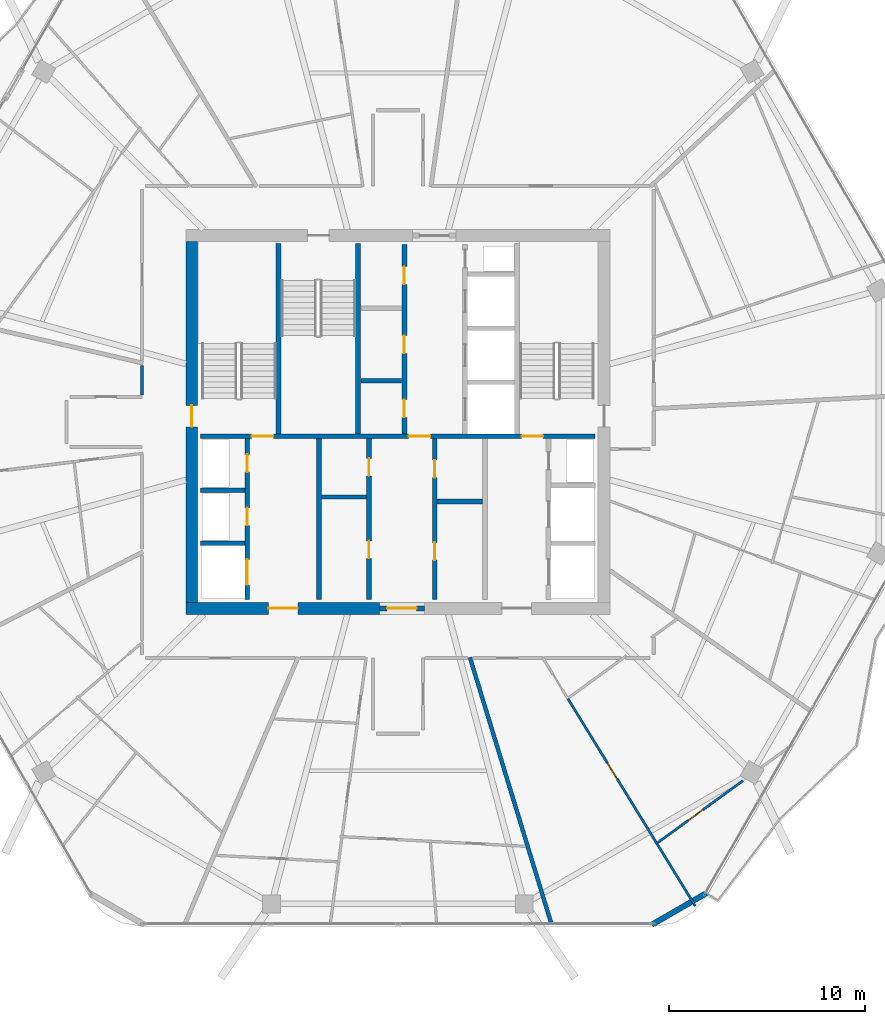
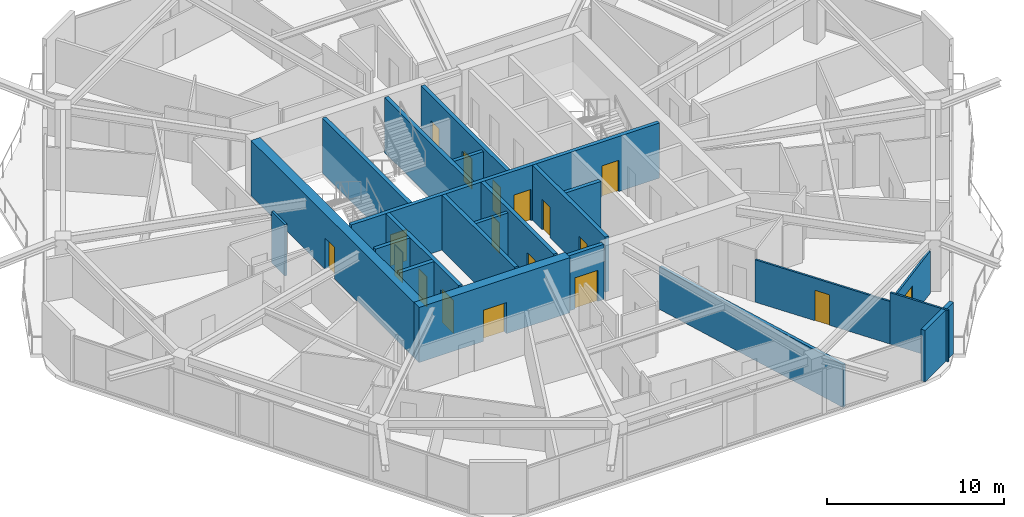
# One storey, part 19 of 25: 22 walls, 18 doors, 18 openings.
"""IFC4 building model written with IfcOpenShell, lengths in metres."""

from ifc_helpers import new_model, si_unit, direction, frame, frame_2d, origin, place, context, subcontext, project, spatial, rectangle, extrude, material, layer, layer_set, type_object, element, fill, save


model = new_model("IFC4")

# Units and contexts
model_context = context("Model", 3, precision=1e-05, world=origin(), true_north=direction((0.0, 1.0)))
body_context = subcontext(model_context, "Body", "Model", "MODEL_VIEW")
ifc_project = project(units=[si_unit("LENGTHUNIT", "METRE"), si_unit("AREAUNIT", "SQUARE_METRE"), si_unit("VOLUMEUNIT", "CUBIC_METRE"), si_unit("PLANEANGLEUNIT", "RADIAN"), si_unit("MASSUNIT", "GRAM", prefix="KILO")], contexts=[model_context])

# Site, building, storey
site_placement = place(None, origin())
site = spatial("IfcSite", under=ifc_project, at=site_placement, CompositionType="ELEMENT")
building_placement = place(site_placement, origin())
building = spatial("IfcBuilding", under=site, at=building_placement, Name="Zuhravey Tower", CompositionType="ELEMENT")
storey_placement = place(building_placement, frame((0.0, 0.0, 257.800048828125)))
storey = spatial("IfcBuildingStorey", under=building, at=storey_placement, Name="L65", CompositionType="ELEMENT", Elevation=257.800048828125)

# Wall, opening, door
ifc_material_1 = material(Name="Concrete C50/60", Category="concrete")
ifc_layer_1 = layer(ifc_material_1, 0.60009765625)
ifc_layer_set_1 = layer_set([ifc_layer_1], Name="Concrete C50/60")
wall_type_1 = type_object("IfcWallType", Name="Core Shear Wall 600", PredefinedType="SHEAR", material=ifc_layer_set_1)
wall_1_placement = place(storey_placement, frame((25.199951171875, 22.5, 0.0), z_axis=(0.0, 0.0, 1.0), x_axis=(1.0, 0.0, 0.0)))
wall_1 = element("IfcWall", 1, at=wall_1_placement, inside=storey, type_object=wall_type_1, Name="L65 South-West Core Shear Wall CW60", PredefinedType="SHEAR", context=body_context, shape_type="SweptSolid", body=[
    extrude(rectangle(XDim=9.85009765625, YDim=0.60009765625, at=frame_2d((4.925048828125, 0.0))), origin(), (0.0, 0.0, 1.0), 3.800048828125),
])
opening_1_placement = place(wall_1_placement, frame((4.199951171875, 0.0, 0.0)))
opening_1 = element("IfcOpeningElement", 2, at=opening_1_placement, cuts=wall_1, Name="Opening FFD1", PredefinedType="OPENING", context=body_context, shape_type="SweptSolid", body=[
    extrude(rectangle(XDim=1.5, YDim=2.14990234375, at=frame_2d((0.75, 1.074951171875))), frame((0.0, 0.31201171875, 0.0), z_axis=(0.0, -1.0, 0.0), x_axis=(1.0, 0.0, 0.0)), (0.0, 0.0, 1.0), 0.6240234375),
])
ifc_material_2 = material(Name="Galvanised fire-rated steel leaf", Category="steel")
door_type_1 = type_object("IfcDoorType", Name="Firefighting Lobby Double Door 1500x2150", OperationType="DOUBLE_DOOR_SINGLE_SWING", PredefinedType="DOOR", material=ifc_material_2)
door_1_placement = place(opening_1_placement, origin())
door_1 = element("IfcDoor", 3, at=door_1_placement, inside=storey, type_object=door_type_1, Name="L65 Firefighting Lobby West Door", OperationType="DOUBLE_DOOR_SINGLE_SWING", OverallHeight=2.14990234375, OverallWidth=1.5, PredefinedType="DOOR", context=body_context, shape_type="SweptSolid", body=[
    extrude(rectangle(XDim=1.5, YDim=2.14990234375, at=frame_2d((0.75, 1.074951171875))), frame((0.0, 0.02490234375, 0.0), z_axis=(0.0, -1.0, 0.0), x_axis=(1.0, 0.0, 0.0)), (0.0, 0.0, 1.0), 0.050048828125),
])
fill(opening_1, door_1)

wall_2_placement = place(storey_placement, frame((25.5, 22.800048828125, 0.0), z_axis=(0.0, 0.0, 1.0), x_axis=(0.0, 1.0, 0.0)))
wall_2 = element("IfcWall", 4, at=wall_2_placement, inside=storey, type_object=wall_type_1, Name="L65 West Core Shear Wall CW60", PredefinedType="SHEAR", context=body_context, shape_type="SweptSolid", body=[
    extrude(rectangle(XDim=18.39990234375, YDim=0.60009765625, at=frame_2d((9.199951171875, 0.0))), origin(), (0.0, 0.0, 1.0), 3.800048828125),
])
opening_2_placement = place(wall_2_placement, frame((8.949951171875, 0.0, 0.0)))
opening_2 = element("IfcOpeningElement", 5, at=opening_2_placement, cuts=wall_2, Name="Opening STD1", PredefinedType="OPENING", context=body_context, shape_type="SweptSolid", body=[
    extrude(rectangle(XDim=1.10009765625, YDim=2.14990234375, at=frame_2d((0.550048828125, 1.074951171875))), frame((0.0, 0.31201171875, 0.0), z_axis=(0.0, -1.0, 0.0), x_axis=(1.0, 0.0, 0.0)), (0.0, 0.0, 1.0), 0.6240234375),
])
door_type_2 = type_object("IfcDoorType", Name="Protected Stair Fire Door 1100x2150", OperationType="NOTDEFINED", PredefinedType="USERDEFINED", material=ifc_material_2)
door_2_placement = place(opening_2_placement, frame((1.10009765625, 0.0, 0.0), z_axis=(0.0, 0.0, 1.0), x_axis=(-1.0, 0.0, 0.0)))
door_2 = element("IfcDoor", 6, at=door_2_placement, inside=storey, type_object=door_type_2, Name="L65 Stair ST1 Door", ObjectType="EXITDOOR", OperationType="SINGLE_SWING_RIGHT", OverallHeight=2.14990234375, OverallWidth=1.10009765625, PredefinedType="USERDEFINED", context=body_context, shape_type="SweptSolid", body=[
    extrude(rectangle(XDim=1.10009765625, YDim=2.14990234375, at=frame_2d((0.550048828125, 1.074951171875))), frame((0.0, 0.02490234375, 0.0), z_axis=(0.0, -1.0, 0.0), x_axis=(1.0, 0.0, 0.0)), (0.0, 0.0, 1.0), 0.050048828125),
])
fill(opening_2, door_2)

# Walls
ifc_material_3 = material(Name="Gypsum fire-rated stud partition")
ifc_layer_2 = layer(ifc_material_3, 0.159912109375)
ifc_layer_set_2 = layer_set([ifc_layer_2], Name="Gypsum fire-rated stud partition")
wall_type_2 = type_object("IfcWallType", Name="Corridor Fire Partition 160", PredefinedType="PARTITIONING", material=ifc_layer_set_2)
wall_3_placement = place(storey_placement, frame((22.969970703125, 34.8681640625, 0.0), z_axis=(0.0, 0.0, 1.0), x_axis=(0.0, -1.0, 0.0)))
element("IfcWall", 7, at=wall_3_placement, inside=storey, type_object=wall_type_2, Name="L65 IW16 Partition 107", PredefinedType="PARTITIONING", context=body_context, shape_type="SweptSolid", body=[
    extrude(rectangle(XDim=1.500244140625, YDim=0.159912109375, at=frame_2d((0.75, 0.0))), origin(), (0.0, 0.0, 1.0), 3.550048828125),
])
ifc_material_4 = material(Name="Precast concrete C40/50", Category="concrete")
ifc_layer_3 = layer(ifc_material_4, 0.280029296875)
ifc_layer_set_3 = layer_set([ifc_layer_3], Name="Precast concrete C40/50")
wall_type_3 = type_object("IfcWallType", Name="Crown Architectural Wall 280", PredefinedType="SOLIDWALL", material=ifc_layer_set_3)
wall_4_placement = place(storey_placement, frame((51.714599609375, 7.996337890625, 0.0), z_axis=(0.0, 0.0, 1.0), x_axis=(-0.866028773314, -0.499994163758, 0.0)))
element("IfcWall", 8, at=wall_4_placement, inside=storey, type_object=wall_type_3, Name="L65 Rounded Corner Closure Wall EW28-02", PredefinedType="SOLIDWALL", context=body_context, shape_type="SweptSolid", body=[
    extrude(rectangle(XDim=3.21484375, YDim=0.280029296875, at=frame_2d((1.607421875, 0.0))), origin(), (0.0, 0.0, 1.0), 3.550048828125),
])

# Wall, opening, door
ifc_layer_4 = layer(ifc_material_1, 0.25)
ifc_layer_set_4 = layer_set([ifc_layer_4], Name="Concrete C50/60")
wall_type_4 = type_object("IfcWallType", Name="Firefighting Shaft & Stair Wall 250", PredefinedType="SOLIDWALL", material=ifc_layer_set_4)
wall_5_placement = place(storey_placement, frame((35.06005859375, 22.5, 0.0), z_axis=(0.0, 0.0, 1.0), x_axis=(1.0, 0.0, 0.0)))
wall_5 = element("IfcWall", 9, at=wall_5_placement, inside=storey, type_object=wall_type_4, Name="L65 FW25 Shaft Wall 001", PredefinedType="SOLIDWALL", context=body_context, shape_type="SweptSolid", body=[
    extrude(rectangle(XDim=2.280029296875, YDim=0.25, at=frame_2d((1.14013671875, 0.0))), origin(), (0.0, 0.0, 1.0), 3.800048828125),
])
opening_3_placement = place(wall_5_placement, frame((0.389892578125, 0.0, 0.0)))
opening_3 = element("IfcOpeningElement", 10, at=opening_3_placement, cuts=wall_5, Name="Opening FFD1", PredefinedType="OPENING", context=body_context, shape_type="SweptSolid", body=[
    extrude(rectangle(XDim=1.5, YDim=2.14990234375, at=frame_2d((0.75, 1.074951171875))), frame((0.0, 0.136962890625, 0.0), z_axis=(0.0, -1.0, 0.0), x_axis=(1.0, 0.0, 0.0)), (0.0, 0.0, 1.0), 0.27392578125),
])
door_3_placement = place(opening_3_placement, frame((1.5, 0.0, 0.0), z_axis=(0.0, 0.0, 1.0), x_axis=(-1.0, 0.0, 0.0)))
door_3 = element("IfcDoor", 11, at=door_3_placement, inside=storey, type_object=door_type_1, Name="L65 South Lift Lobby Exit Door", OperationType="DOUBLE_DOOR_SINGLE_SWING", OverallHeight=2.14990234375, OverallWidth=1.5, PredefinedType="DOOR", context=body_context, shape_type="SweptSolid", body=[
    extrude(rectangle(XDim=1.5, YDim=2.14990234375, at=frame_2d((0.75, 1.074951171875))), frame((0.0, 0.02490234375, 0.0), z_axis=(0.0, -1.0, 0.0), x_axis=(1.0, 0.0, 0.0)), (0.0, 0.0, 1.0), 0.050048828125),
])
fill(opening_3, door_3)

# Wall, openings, doors
wall_6_placement = place(storey_placement, frame((25.949951171875, 31.27490234375, 0.0), z_axis=(0.0, 0.0, 1.0), x_axis=(1.0, 0.0, 0.0)))
wall_6 = element("IfcWall", 12, at=wall_6_placement, inside=storey, type_object=wall_type_4, Name="L65 FW25 Shaft Wall 003", PredefinedType="SOLIDWALL", context=body_context, shape_type="SweptSolid", body=[
    extrude(rectangle(XDim=20.10009765625, YDim=0.25, at=frame_2d((10.050048828125, 0.0))), origin(), (0.0, 0.0, 1.0), 3.800048828125),
])
opening_4_placement = place(wall_6_placement, frame((2.60009765625, 0.0, 0.0)))
opening_4 = element("IfcOpeningElement", 13, at=opening_4_placement, cuts=wall_6, Name="Opening STD1", PredefinedType="OPENING", context=body_context, shape_type="SweptSolid", body=[
    extrude(rectangle(XDim=1.10009765625, YDim=2.14990234375, at=frame_2d((0.550048828125, 1.074951171875))), frame((0.0, 0.136962890625, 0.0), z_axis=(0.0, -1.0, 0.0), x_axis=(1.0, 0.0, 0.0)), (0.0, 0.0, 1.0), 0.27392578125),
])
opening_5_placement = place(wall_6_placement, frame((10.60009765625, 0.0, 0.0)))
opening_5 = element("IfcOpeningElement", 14, at=opening_5_placement, cuts=wall_6, Name="Opening STD1", PredefinedType="OPENING", context=body_context, shape_type="SweptSolid", body=[
    extrude(rectangle(XDim=1.10009765625, YDim=2.14990234375, at=frame_2d((0.550048828125, 1.074951171875))), frame((0.0, 0.136962890625, 0.0), z_axis=(0.0, -1.0, 0.0), x_axis=(1.0, 0.0, 0.0)), (0.0, 0.0, 1.0), 0.27392578125),
])
opening_6_placement = place(wall_6_placement, frame((16.35009765625, 0.0, 0.0)))
opening_6 = element("IfcOpeningElement", 15, at=opening_6_placement, cuts=wall_6, Name="Opening STD1", PredefinedType="OPENING", context=body_context, shape_type="SweptSolid", body=[
    extrude(rectangle(XDim=1.10009765625, YDim=2.14990234375, at=frame_2d((0.550048828125, 1.074951171875))), frame((0.0, 0.136962890625, 0.0), z_axis=(0.0, -1.0, 0.0), x_axis=(1.0, 0.0, 0.0)), (0.0, 0.0, 1.0), 0.27392578125),
])
door_4_placement = place(opening_4_placement, origin())
door_4 = element("IfcDoor", 16, at=door_4_placement, inside=storey, type_object=door_type_2, Name="L65 FFL-W to ST1 Door", ObjectType="EXITDOOR", OperationType="SINGLE_SWING_LEFT", OverallHeight=2.14990234375, OverallWidth=1.10009765625, PredefinedType="USERDEFINED", context=body_context, shape_type="SweptSolid", body=[
    extrude(rectangle(XDim=1.10009765625, YDim=2.14990234375, at=frame_2d((0.550048828125, 1.074951171875))), frame((0.0, 0.02490234375, 0.0), z_axis=(0.0, -1.0, 0.0), x_axis=(1.0, 0.0, 0.0)), (0.0, 0.0, 1.0), 0.050048828125),
])
fill(opening_4, door_4)
door_5_placement = place(opening_5_placement, origin())
door_5 = element("IfcDoor", 17, at=door_5_placement, inside=storey, type_object=door_type_2, Name="L65 Core Lobby Link Door", ObjectType="EXITDOOR", OperationType="SINGLE_SWING_RIGHT", OverallHeight=2.14990234375, OverallWidth=1.10009765625, PredefinedType="USERDEFINED", context=body_context, shape_type="SweptSolid", body=[
    extrude(rectangle(XDim=1.10009765625, YDim=2.14990234375, at=frame_2d((0.550048828125, 1.074951171875))), frame((0.0, 0.02490234375, 0.0), z_axis=(0.0, -1.0, 0.0), x_axis=(1.0, 0.0, 0.0)), (0.0, 0.0, 1.0), 0.050048828125),
])
fill(opening_5, door_5)
door_6_placement = place(opening_6_placement, origin())
door_6 = element("IfcDoor", 18, at=door_6_placement, inside=storey, type_object=door_type_2, Name="L65 FFL-E to ST2 Door", ObjectType="EXITDOOR", OperationType="SINGLE_SWING_LEFT", OverallHeight=2.14990234375, OverallWidth=1.10009765625, PredefinedType="USERDEFINED", context=body_context, shape_type="SweptSolid", body=[
    extrude(rectangle(XDim=1.10009765625, YDim=2.14990234375, at=frame_2d((0.550048828125, 1.074951171875))), frame((0.0, 0.02490234375, 0.0), z_axis=(0.0, -1.0, 0.0), x_axis=(1.0, 0.0, 0.0)), (0.0, 0.0, 1.0), 0.050048828125),
])
fill(opening_6, door_6)

# Walls
for number, where, z_axis, x_axis, name in (
    (19, (29.925048828125, 31.39990234375, 0.0), (0.0, 0.0, 1.0), (0.0, 1.0, 0.0), "L65 FW25 Shaft Wall 004"),
    (20, (33.97509765625, 31.39990234375, 0.0), (0.0, 0.0, 1.0), (0.0, 1.0, 0.0), "L65 FW25 Shaft Wall 005"),
):
    element("IfcWall", number, at=place(storey_placement, frame(where, z_axis=z_axis, x_axis=x_axis)), inside=storey, type_object=wall_type_4, Name=name, PredefinedType="SOLIDWALL", context=body_context, shape_type="SweptSolid", body=[
        extrude(rectangle(XDim=9.7001953125, YDim=0.25, at=frame_2d((4.85009765625, 0.0))), origin(), (0.0, 0.0, 1.0), 3.800048828125),
    ])

# Wall, openings, doors
wall_7_placement = place(storey_placement, frame((36.324951171875, 31.39990234375, 0.0), z_axis=(0.0, 0.0, 1.0), x_axis=(0.0, 1.0, 0.0)))
wall_7 = element("IfcWall", 21, at=wall_7_placement, inside=storey, type_object=wall_type_4, Name="L65 FW25 Shaft Wall 007", PredefinedType="SOLIDWALL", context=body_context, shape_type="SweptSolid", body=[
    extrude(rectangle(XDim=9.650146484375, YDim=0.25, at=frame_2d((4.8251953125, 0.0))), origin(), (0.0, 0.0, 1.0), 3.800048828125),
])
opening_7_placement = place(wall_7_placement, frame((0.840087890625, 0.0, 0.0)))
opening_7 = element("IfcOpeningElement", 22, at=opening_7_placement, cuts=wall_7, Name="Opening RSD1", PredefinedType="OPENING", context=body_context, shape_type="SweptSolid", body=[
    extrude(rectangle(XDim=0.89990234375, YDim=2.10009765625, at=frame_2d((0.449951171875, 1.050048828125))), frame((0.0, 0.136962890625, 0.0), z_axis=(0.0, -1.0, 0.0), x_axis=(1.0, 0.0, 0.0)), (0.0, 0.0, 1.0), 0.27392578125),
])
opening_8_placement = place(wall_7_placement, frame((4.10009765625, 0.0, 0.0)))
opening_8 = element("IfcOpeningElement", 23, at=opening_8_placement, cuts=wall_7, Name="Opening RSD1", PredefinedType="OPENING", context=body_context, shape_type="SweptSolid", body=[
    extrude(rectangle(XDim=0.89990234375, YDim=2.10009765625, at=frame_2d((0.449951171875, 1.050048828125))), frame((0.0, 0.136962890625, 0.0), z_axis=(0.0, -1.0, 0.0), x_axis=(1.0, 0.0, 0.0)), (0.0, 0.0, 1.0), 0.27392578125),
])
opening_9_placement = place(wall_7_placement, frame((7.610107421875, 0.0, 0.0)))
opening_9 = element("IfcOpeningElement", 24, at=opening_9_placement, cuts=wall_7, Name="Opening RSD1", PredefinedType="OPENING", context=body_context, shape_type="SweptSolid", body=[
    extrude(rectangle(XDim=0.89990234375, YDim=2.10009765625, at=frame_2d((0.449951171875, 1.050048828125))), frame((0.0, 0.136962890625, 0.0), z_axis=(0.0, -1.0, 0.0), x_axis=(1.0, 0.0, 0.0)), (0.0, 0.0, 1.0), 0.27392578125),
])
ifc_material_5 = material(Name="Galvanised fire-rated steel access leaf", Category="steel")
door_type_3 = type_object("IfcDoorType", Name="Riser & Shaft Access Fire Door 900x2100", OperationType="NOTDEFINED", PredefinedType="DOOR", material=ifc_material_5)
door_7_placement = place(opening_7_placement, origin())
door_7 = element("IfcDoor", 25, at=door_7_placement, inside=storey, type_object=door_type_3, Name="L65 Core Staff WC Door", OperationType="SINGLE_SWING_RIGHT", OverallHeight=2.10009765625, OverallWidth=0.89990234375, PredefinedType="DOOR", context=body_context, shape_type="SweptSolid", body=[
    extrude(rectangle(XDim=0.89990234375, YDim=2.10009765625, at=frame_2d((0.449951171875, 1.050048828125))), frame((0.0, 0.02490234375, 0.0), z_axis=(0.0, -1.0, 0.0), x_axis=(1.0, 0.0, 0.0)), (0.0, 0.0, 1.0), 0.050048828125),
])
fill(opening_7, door_7)
door_8_placement = place(opening_8_placement, origin())
door_8 = element("IfcDoor", 26, at=door_8_placement, inside=storey, type_object=door_type_3, Name="L65 IT and Comms Room Door", OperationType="SINGLE_SWING_LEFT", OverallHeight=2.10009765625, OverallWidth=0.89990234375, PredefinedType="DOOR", context=body_context, shape_type="SweptSolid", body=[
    extrude(rectangle(XDim=0.89990234375, YDim=2.10009765625, at=frame_2d((0.449951171875, 1.050048828125))), frame((0.0, 0.02490234375, 0.0), z_axis=(0.0, -1.0, 0.0), x_axis=(1.0, 0.0, 0.0)), (0.0, 0.0, 1.0), 0.050048828125),
])
fill(opening_8, door_8)
door_9_placement = place(opening_9_placement, origin())
door_9 = element("IfcDoor", 27, at=door_9_placement, inside=storey, type_object=door_type_3, Name="L65 Janitor Linen Store Door", OperationType="SINGLE_SWING_RIGHT", OverallHeight=2.10009765625, OverallWidth=0.89990234375, PredefinedType="DOOR", context=body_context, shape_type="SweptSolid", body=[
    extrude(rectangle(XDim=0.89990234375, YDim=2.10009765625, at=frame_2d((0.449951171875, 1.050048828125))), frame((0.0, 0.02490234375, 0.0), z_axis=(0.0, -1.0, 0.0), x_axis=(1.0, 0.0, 0.0)), (0.0, 0.0, 1.0), 0.050048828125),
])
fill(opening_9, door_9)

# Walls
for number, where, z_axis, x_axis, name in (
    (28, (25.949951171875, 25.824951171875, 0.0), (0.0, 0.0, 1.0), (1.0, 0.0, 0.0), "L65 FW25 Shaft Wall 009"),
    (29, (25.949951171875, 28.52490234375, 0.0), (0.0, 0.0, 1.0), (1.0, 0.0, 0.0), "L65 FW25 Shaft Wall 010"),
):
    element("IfcWall", number, at=place(storey_placement, frame(where, z_axis=z_axis, x_axis=x_axis)), inside=storey, type_object=wall_type_4, Name=name, PredefinedType="SOLIDWALL", context=body_context, shape_type="SweptSolid", body=[
        extrude(rectangle(XDim=2.25, YDim=0.25, at=frame_2d((1.125, 0.0))), origin(), (0.0, 0.0, 1.0), 3.800048828125),
    ])

# Wall, openings, doors
wall_8_placement = place(storey_placement, frame((28.324951171875, 22.949951171875, 0.0), z_axis=(0.0, 0.0, 1.0), x_axis=(0.0, 1.0, 0.0)))
wall_8 = element("IfcWall", 30, at=wall_8_placement, inside=storey, type_object=wall_type_4, Name="L65 FW25 Shaft Wall 011", PredefinedType="SOLIDWALL", context=body_context, shape_type="SweptSolid", body=[
    extrude(rectangle(XDim=8.199951171875, YDim=0.25, at=frame_2d((4.10009765625, 0.0))), origin(), (0.0, 0.0, 1.0), 3.800048828125),
])
opening_10_placement = place(wall_8_placement, frame((0.75, 0.0, 0.0)))
opening_10 = element("IfcOpeningElement", 31, at=opening_10_placement, cuts=wall_8, Name="Opening LD2", PredefinedType="OPENING", context=body_context, shape_type="SweptSolid", body=[
    extrude(rectangle(XDim=1.300048828125, YDim=2.300048828125, at=frame_2d((0.64990234375, 1.14990234375))), frame((0.0, 0.136962890625, 0.0), z_axis=(0.0, -1.0, 0.0), x_axis=(1.0, 0.0, 0.0)), (0.0, 0.0, 1.0), 0.27392578125),
])
opening_11_placement = place(wall_8_placement, frame((3.780029296875, 0.0, 0.0)))
opening_11 = element("IfcOpeningElement", 32, at=opening_11_placement, cuts=wall_8, Name="Opening RSD1", PredefinedType="OPENING", context=body_context, shape_type="SweptSolid", body=[
    extrude(rectangle(XDim=0.89990234375, YDim=2.10009765625, at=frame_2d((0.449951171875, 1.050048828125))), frame((0.0, 0.136962890625, 0.0), z_axis=(0.0, -1.0, 0.0), x_axis=(1.0, 0.0, 0.0)), (0.0, 0.0, 1.0), 0.27392578125),
])
opening_12_placement = place(wall_8_placement, frame((6.5, 0.0, 0.0)))
opening_12 = element("IfcOpeningElement", 33, at=opening_12_placement, cuts=wall_8, Name="Opening RSD1", PredefinedType="OPENING", context=body_context, shape_type="SweptSolid", body=[
    extrude(rectangle(XDim=0.89990234375, YDim=2.10009765625, at=frame_2d((0.449951171875, 1.050048828125))), frame((0.0, 0.136962890625, 0.0), z_axis=(0.0, -1.0, 0.0), x_axis=(1.0, 0.0, 0.0)), (0.0, 0.0, 1.0), 0.27392578125),
])
ifc_material_6 = material(Name="Brushed stainless steel", Category="steel")
door_type_4 = type_object("IfcDoorType", Name="Freight & Stretcher Lift Sliding Door 1300x2300", OperationType="DOUBLE_DOOR_SLIDING", PredefinedType="DOOR", material=ifc_material_6)
door_10_placement = place(opening_10_placement, frame((1.300048828125, 0.0, 0.0), z_axis=(0.0, 0.0, 1.0), x_axis=(-1.0, 0.0, 0.0)))
door_10 = element("IfcDoor", 34, at=door_10_placement, inside=storey, type_object=door_type_4, Name="L65 Lift FF1 Landing Door", OperationType="DOUBLE_DOOR_SLIDING", OverallHeight=2.300048828125, OverallWidth=1.300048828125, PredefinedType="DOOR", context=body_context, shape_type="SweptSolid", body=[
    extrude(rectangle(XDim=1.300048828125, YDim=2.300048828125, at=frame_2d((0.64990234375, 1.14990234375))), frame((0.0, 0.02490234375, 0.0), z_axis=(0.0, -1.0, 0.0), x_axis=(1.0, 0.0, 0.0)), (0.0, 0.0, 1.0), 0.050048828125),
])
fill(opening_10, door_10)
door_11_placement = place(opening_11_placement, frame((0.89990234375, 0.0, 0.0), z_axis=(0.0, 0.0, 1.0), x_axis=(-1.0, 0.0, 0.0)))
door_11 = element("IfcDoor", 35, at=door_11_placement, inside=storey, type_object=door_type_3, Name="L65 Electrical Riser Door", OperationType="SINGLE_SWING_RIGHT", OverallHeight=2.10009765625, OverallWidth=0.89990234375, PredefinedType="DOOR", context=body_context, shape_type="SweptSolid", body=[
    extrude(rectangle(XDim=0.89990234375, YDim=2.10009765625, at=frame_2d((0.449951171875, 1.050048828125))), frame((0.0, 0.02490234375, 0.0), z_axis=(0.0, -1.0, 0.0), x_axis=(1.0, 0.0, 0.0)), (0.0, 0.0, 1.0), 0.050048828125),
])
fill(opening_11, door_11)
door_12_placement = place(opening_12_placement, frame((0.89990234375, 0.0, 0.0), z_axis=(0.0, 0.0, 1.0), x_axis=(-1.0, 0.0, 0.0)))
door_12 = element("IfcDoor", 36, at=door_12_placement, inside=storey, type_object=door_type_3, Name="L65 Smoke Shaft Access Door", OperationType="SINGLE_SWING_LEFT", OverallHeight=2.10009765625, OverallWidth=0.89990234375, PredefinedType="DOOR", context=body_context, shape_type="SweptSolid", body=[
    extrude(rectangle(XDim=0.89990234375, YDim=2.10009765625, at=frame_2d((0.449951171875, 1.050048828125))), frame((0.0, 0.02490234375, 0.0), z_axis=(0.0, -1.0, 0.0), x_axis=(1.0, 0.0, 0.0)), (0.0, 0.0, 1.0), 0.050048828125),
])
fill(opening_12, door_12)

# Wall
wall_9_placement = place(storey_placement, frame((31.97509765625, 22.949951171875, 0.0), z_axis=(0.0, 0.0, 1.0), x_axis=(0.0, 1.0, 0.0)))
element("IfcWall", 37, at=wall_9_placement, inside=storey, type_object=wall_type_4, Name="L65 FW25 Shaft Wall 012", PredefinedType="SOLIDWALL", context=body_context, shape_type="SweptSolid", body=[
    extrude(rectangle(XDim=8.199951171875, YDim=0.25, at=frame_2d((4.10009765625, 0.0))), origin(), (0.0, 0.0, 1.0), 3.800048828125),
])

# Wall, openings, doors
wall_10_placement = place(storey_placement, frame((34.52490234375, 22.949951171875, 0.0), z_axis=(0.0, 0.0, 1.0), x_axis=(0.0, 1.0, 0.0)))
wall_10 = element("IfcWall", 38, at=wall_10_placement, inside=storey, type_object=wall_type_4, Name="L65 FW25 Shaft Wall 013", PredefinedType="SOLIDWALL", context=body_context, shape_type="SweptSolid", body=[
    extrude(rectangle(XDim=8.199951171875, YDim=0.25, at=frame_2d((4.10009765625, 0.0))), origin(), (0.0, 0.0, 1.0), 3.800048828125),
])
opening_13_placement = place(wall_10_placement, frame((2.10009765625, 0.0, 0.0)))
opening_13 = element("IfcOpeningElement", 39, at=opening_13_placement, cuts=wall_10, Name="Opening RSD1", PredefinedType="OPENING", context=body_context, shape_type="SweptSolid", body=[
    extrude(rectangle(XDim=0.89990234375, YDim=2.10009765625, at=frame_2d((0.449951171875, 1.050048828125))), frame((0.0, 0.136962890625, 0.0), z_axis=(0.0, -1.0, 0.0), x_axis=(1.0, 0.0, 0.0)), (0.0, 0.0, 1.0), 0.27392578125),
])
opening_14_placement = place(wall_10_placement, frame((6.300048828125, 0.0, 0.0)))
opening_14 = element("IfcOpeningElement", 40, at=opening_14_placement, cuts=wall_10, Name="Opening RSD1", PredefinedType="OPENING", context=body_context, shape_type="SweptSolid", body=[
    extrude(rectangle(XDim=0.89990234375, YDim=2.10009765625, at=frame_2d((0.449951171875, 1.050048828125))), frame((0.0, 0.136962890625, 0.0), z_axis=(0.0, -1.0, 0.0), x_axis=(1.0, 0.0, 0.0)), (0.0, 0.0, 1.0), 0.27392578125),
])
door_13_placement = place(opening_13_placement, origin())
door_13 = element("IfcDoor", 41, at=door_13_placement, inside=storey, type_object=door_type_3, Name="L65 Housekeeping Store Door", OperationType="SINGLE_SWING_RIGHT", OverallHeight=2.10009765625, OverallWidth=0.89990234375, PredefinedType="DOOR", context=body_context, shape_type="SweptSolid", body=[
    extrude(rectangle(XDim=0.89990234375, YDim=2.10009765625, at=frame_2d((0.449951171875, 1.050048828125))), frame((0.0, 0.02490234375, 0.0), z_axis=(0.0, -1.0, 0.0), x_axis=(1.0, 0.0, 0.0)), (0.0, 0.0, 1.0), 0.050048828125),
])
fill(opening_13, door_13)
door_14_placement = place(opening_14_placement, origin())
door_14 = element("IfcDoor", 42, at=door_14_placement, inside=storey, type_object=door_type_3, Name="L65 Comms Closet Door", OperationType="SINGLE_SWING_LEFT", OverallHeight=2.10009765625, OverallWidth=0.89990234375, PredefinedType="DOOR", context=body_context, shape_type="SweptSolid", body=[
    extrude(rectangle(XDim=0.89990234375, YDim=2.10009765625, at=frame_2d((0.449951171875, 1.050048828125))), frame((0.0, 0.02490234375, 0.0), z_axis=(0.0, -1.0, 0.0), x_axis=(1.0, 0.0, 0.0)), (0.0, 0.0, 1.0), 0.050048828125),
])
fill(opening_14, door_14)

# Wall
wall_11_placement = place(storey_placement, frame((38.0, 27.949951171875, 0.0), z_axis=(0.0, 0.0, 1.0), x_axis=(1.0, 0.0, 0.0)))
element("IfcWall", 43, at=wall_11_placement, inside=storey, type_object=wall_type_4, Name="L65 FW25 Shaft Wall 014", PredefinedType="SOLIDWALL", context=body_context, shape_type="SweptSolid", body=[
    extrude(rectangle(XDim=2.300048828125, YDim=0.25, at=frame_2d((1.14990234375, 0.0))), origin(), (0.0, 0.0, 1.0), 3.800048828125),
])

# Wall, openings, doors
wall_12_placement = place(storey_placement, frame((37.875, 22.949951171875, 0.0), z_axis=(0.0, 0.0, 1.0), x_axis=(0.0, 1.0, 0.0)))
wall_12 = element("IfcWall", 44, at=wall_12_placement, inside=storey, type_object=wall_type_4, Name="L65 FW25 Shaft Wall 015", PredefinedType="SOLIDWALL", context=body_context, shape_type="SweptSolid", body=[
    extrude(rectangle(XDim=8.199951171875, YDim=0.25, at=frame_2d((4.10009765625, 0.0))), origin(), (0.0, 0.0, 1.0), 3.800048828125),
])
opening_15_placement = place(wall_12_placement, frame((2.012451171875, 0.0, 0.0)))
opening_15 = element("IfcOpeningElement", 45, at=opening_15_placement, cuts=wall_12, Name="Opening RSD1", PredefinedType="OPENING", context=body_context, shape_type="SweptSolid", body=[
    extrude(rectangle(XDim=0.89990234375, YDim=2.10009765625, at=frame_2d((0.449951171875, 1.050048828125))), frame((0.0, 0.136962890625, 0.0), z_axis=(0.0, -1.0, 0.0), x_axis=(1.0, 0.0, 0.0)), (0.0, 0.0, 1.0), 0.27392578125),
])
opening_16_placement = place(wall_12_placement, frame((6.21240234375, 0.0, 0.0)))
opening_16 = element("IfcOpeningElement", 46, at=opening_16_placement, cuts=wall_12, Name="Opening RSD1", PredefinedType="OPENING", context=body_context, shape_type="SweptSolid", body=[
    extrude(rectangle(XDim=0.89990234375, YDim=2.10009765625, at=frame_2d((0.449951171875, 1.050048828125))), frame((0.0, 0.136962890625, 0.0), z_axis=(0.0, -1.0, 0.0), x_axis=(1.0, 0.0, 0.0)), (0.0, 0.0, 1.0), 0.27392578125),
])
door_15_placement = place(opening_15_placement, frame((0.89990234375, 0.0, 0.0), z_axis=(0.0, 0.0, 1.0), x_axis=(-1.0, 0.0, 0.0)))
door_15 = element("IfcDoor", 47, at=door_15_placement, inside=storey, type_object=door_type_3, Name="L65 Trunk Store Door", OperationType="SINGLE_SWING_RIGHT", OverallHeight=2.10009765625, OverallWidth=0.89990234375, PredefinedType="DOOR", context=body_context, shape_type="SweptSolid", body=[
    extrude(rectangle(XDim=0.89990234375, YDim=2.10009765625, at=frame_2d((0.449951171875, 1.050048828125))), frame((0.0, 0.02490234375, 0.0), z_axis=(0.0, -1.0, 0.0), x_axis=(1.0, 0.0, 0.0)), (0.0, 0.0, 1.0), 0.050048828125),
])
fill(opening_15, door_15)
door_16_placement = place(opening_16_placement, frame((0.89990234375, 0.0, 0.0), z_axis=(0.0, 0.0, 1.0), x_axis=(-1.0, 0.0, 0.0)))
door_16 = element("IfcDoor", 48, at=door_16_placement, inside=storey, type_object=door_type_3, Name="L65 Fiber Room Door", OperationType="SINGLE_SWING_LEFT", OverallHeight=2.10009765625, OverallWidth=0.89990234375, PredefinedType="DOOR", context=body_context, shape_type="SweptSolid", body=[
    extrude(rectangle(XDim=0.89990234375, YDim=2.10009765625, at=frame_2d((0.449951171875, 1.050048828125))), frame((0.0, 0.02490234375, 0.0), z_axis=(0.0, -1.0, 0.0), x_axis=(1.0, 0.0, 0.0)), (0.0, 0.0, 1.0), 0.050048828125),
])
fill(opening_16, door_16)

# Walls
ifc_material_7 = material(Name="Gypsum double-stud party assembly")
ifc_layer_5 = layer(ifc_material_7, 0.199951171875)
ifc_layer_set_5 = layer_set([ifc_layer_5], Name="Gypsum double-stud party assembly")
wall_type_5 = type_object("IfcWallType", Name="Inter-Tenancy Party Wall 200", PredefinedType="PARTITIONING", material=ifc_layer_set_5)
wall_13_placement = place(storey_placement, frame((39.665771484375, 20.010009765625, 0.0), z_axis=(0.0, 0.0, 1.0), x_axis=(0.292371477774, -0.956304825348, 0.0)))
element("IfcWall", 49, at=wall_13_placement, inside=storey, type_object=wall_type_5, Name="L65 IW20 Partition 084", PredefinedType="PARTITIONING", context=body_context, shape_type="SweptSolid", body=[
    extrude(rectangle(XDim=14.19384765625, YDim=0.199951171875, at=frame_2d((7.096923828125, 0.0))), origin(), (0.0, 0.0, 1.0), 2.929931640625),
])
ifc_material_8 = material(Name="Gypsum acoustic stud assembly")
ifc_layer_6 = layer(ifc_material_8, 0.219970703125)
ifc_layer_set_6 = layer_set([ifc_layer_6], Name="Gypsum acoustic stud assembly")
wall_type_6 = type_object("IfcWallType", Name="School Acoustic Compartment Wall 220", PredefinedType="PARTITIONING", material=ifc_layer_set_6)
wall_14_placement = place(storey_placement, frame((34.10791015625, 34.10009765625, 0.0), z_axis=(0.0, 0.0, 1.0), x_axis=(1.0, 0.0, 0.0)))
element("IfcWall", 50, at=wall_14_placement, inside=storey, type_object=wall_type_6, Name="L65 IW22 Partition 061", PredefinedType="PARTITIONING", context=body_context, shape_type="SweptSolid", body=[
    extrude(rectangle(XDim=2.083984375, YDim=0.219970703125, at=frame_2d((1.0419921875, 0.0))), origin(), (0.0, 0.0, 1.0), 3.550048828125),
])
wall_15_placement = place(storey_placement, frame((32.10791015625, 28.175048828125, 0.0), z_axis=(0.0, 0.0, 1.0), x_axis=(1.0, 0.0, 0.0)))
element("IfcWall", 51, at=wall_15_placement, inside=storey, type_object=wall_type_6, Name="L65 IW22 Partition 066", PredefinedType="PARTITIONING", context=body_context, shape_type="SweptSolid", body=[
    extrude(rectangle(XDim=2.2841796875, YDim=0.219970703125, at=frame_2d((1.14208984375, 0.0))), origin(), (0.0, 0.0, 1.0), 3.550048828125),
])

# Wall, opening, door
ifc_material_9 = material(Name="Gypsum metal-stud partition")
ifc_layer_7 = layer(ifc_material_9, 0.1201171875)
ifc_layer_set_7 = layer_set([ifc_layer_7], Name="Gypsum metal-stud partition")
wall_type_7 = type_object("IfcWallType", Name="Unit Internal Partition 120", PredefinedType="PARTITIONING", material=ifc_layer_set_7)
wall_16_placement = place(storey_placement, frame((44.6630859375, 17.896484375, 0.0), z_axis=(0.0, 0.0, 1.0), x_axis=(0.523381863005, -0.852098248723, 0.0)))
wall_16 = element("IfcWall", 52, at=wall_16_placement, inside=storey, type_object=wall_type_7, Name="L65 IW12 Partition 043", PredefinedType="PARTITIONING", context=body_context, shape_type="SweptSolid", body=[
    extrude(rectangle(XDim=8.663818359375, YDim=0.1201171875, at=frame_2d((4.33203125, 0.0))), origin(), (0.0, 0.0, 1.0), 2.929931640625),
])
opening_17_placement = place(wall_16_placement, frame((3.831787109375, 0.0, 0.0)))
opening_17 = element("IfcOpeningElement", 53, at=opening_17_placement, cuts=wall_16, Name="Opening IND1", PredefinedType="OPENING", context=body_context, shape_type="SweptSolid", body=[
    extrude(rectangle(XDim=0.949951171875, YDim=2.10009765625, at=frame_2d((0.47509765625, 1.050048828125))), frame((0.0, 0.072021484375, 0.0), z_axis=(0.0, -1.0, 0.0), x_axis=(1.0, 0.0, 0.0)), (0.0, 0.0, 1.0), 0.14404296875),
])
ifc_material_10 = material(Name="Painted engineered timber leaf", Category="wood")
door_type_5 = type_object("IfcDoorType", Name="Internal Room & Bedroom Door 950x2100", OperationType="NOTDEFINED", PredefinedType="DOOR", material=ifc_material_10)
door_17_placement = place(opening_17_placement, origin())
door_17 = element("IfcDoor", 54, at=door_17_placement, inside=storey, type_object=door_type_5, Name="Apartment L65-05 Home Office Door", OperationType="SINGLE_SWING_LEFT", OverallHeight=2.10009765625, OverallWidth=0.949951171875, PredefinedType="DOOR", context=body_context, shape_type="SweptSolid", body=[
    extrude(rectangle(XDim=0.949951171875, YDim=2.10009765625, at=frame_2d((0.47509765625, 1.050048828125))), frame((0.0, 0.02490234375, 0.0), z_axis=(0.0, -1.0, 0.0), x_axis=(1.0, 0.0, 0.0)), (0.0, 0.0, 1.0), 0.050048828125),
])
fill(opening_17, door_17)

wall_17_placement = place(storey_placement, frame((49.239501953125, 10.575439453125, 0.0), z_axis=(0.0, 0.0, 1.0), x_axis=(0.809007956484, 0.587797691681, 0.0)))
wall_17 = element("IfcWall", 55, at=wall_17_placement, inside=storey, type_object=wall_type_7, Name="L65 IW12 Partition 044", PredefinedType="PARTITIONING", context=body_context, shape_type="SweptSolid", body=[
    extrude(rectangle(XDim=5.357177734375, YDim=0.1201171875, at=frame_2d((2.6787109375, 0.0))), origin(), (0.0, 0.0, 1.0), 2.929931640625),
])
opening_18_placement = place(wall_17_placement, frame((1.8994140625, 0.0, 0.0)))
opening_18 = element("IfcOpeningElement", 56, at=opening_18_placement, cuts=wall_17, Name="Opening IND1", PredefinedType="OPENING", context=body_context, shape_type="SweptSolid", body=[
    extrude(rectangle(XDim=0.949951171875, YDim=2.10009765625, at=frame_2d((0.47509765625, 1.050048828125))), frame((0.0, 0.072021484375, 0.0), z_axis=(0.0, -1.0, 0.0), x_axis=(1.0, 0.0, 0.0)), (0.0, 0.0, 1.0), 0.14404296875),
])
door_18_placement = place(opening_18_placement, frame((0.949951171875, 0.0, 0.0), z_axis=(0.0, 0.0, 1.0), x_axis=(-1.0, 0.0, 0.0)))
door_18 = element("IfcDoor", 57, at=door_18_placement, inside=storey, type_object=door_type_5, Name="Apartment L65-05 Bedroom 1 Door", OperationType="SINGLE_SWING_RIGHT", OverallHeight=2.10009765625, OverallWidth=0.949951171875, PredefinedType="DOOR", context=body_context, shape_type="SweptSolid", body=[
    extrude(rectangle(XDim=0.949951171875, YDim=2.10009765625, at=frame_2d((0.47509765625, 1.050048828125))), frame((0.0, 0.02490234375, 0.0), z_axis=(0.0, -1.0, 0.0), x_axis=(1.0, 0.0, 0.0)), (0.0, 0.0, 1.0), 0.050048828125),
])
fill(opening_18, door_18)

# Wall
wall_18_placement = place(storey_placement, frame((49.197509765625, 10.51416015625, 0.0), z_axis=(0.0, 0.0, 1.0), x_axis=(0.523392872286, -0.852091486426, 0.0)))
element("IfcWall", 58, at=wall_18_placement, inside=storey, type_object=wall_type_7, Name="L65 IW12 Partition 086", PredefinedType="PARTITIONING", context=body_context, shape_type="SweptSolid", body=[
    extrude(rectangle(XDim=3.712890625, YDim=0.1201171875, at=frame_2d((1.8564453125, 0.0))), origin(), (0.0, 0.0, 1.0), 3.550048828125),
])

save(model, "model.ifc")
